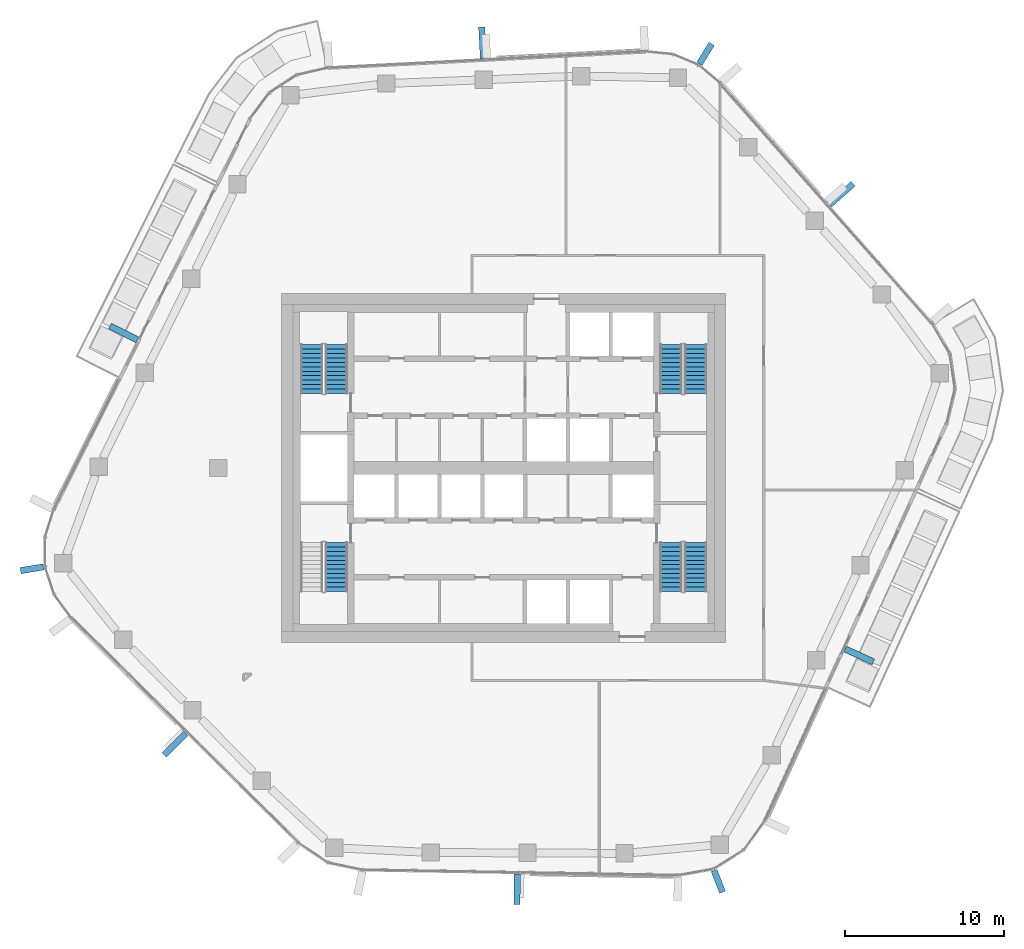
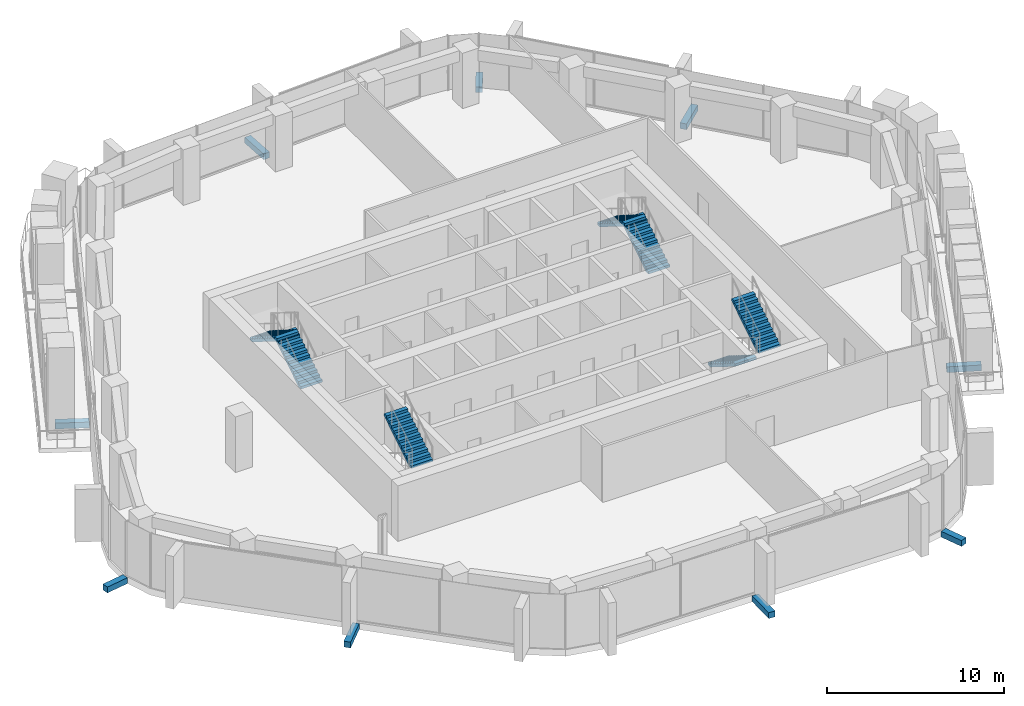
# One storey, part 15 of 22: 9 discrete accessories, 7 stair flights, 4 elements without a shape of their own.
"""IFC4 building model written with IfcOpenShell, lengths in metres."""

from ifc_helpers import new_model, si_unit, direction, frame, origin, origin_2d, place, context, subcontext, project, spatial, polyline, rectangle, outline, extrude, material, layer, layer_set, type_object, element, aggregate, save


model = new_model("IFC4")

# Units and contexts
model_context = context("Model", 3, precision=1e-05, world=origin(), true_north=direction((0.0, 1.0)))
body_context = subcontext(model_context, "Body", "Model", "MODEL_VIEW")
ifc_project = project(units=[si_unit("LENGTHUNIT", "METRE"), si_unit("AREAUNIT", "SQUARE_METRE"), si_unit("VOLUMEUNIT", "CUBIC_METRE"), si_unit("PLANEANGLEUNIT", "RADIAN"), si_unit("MASSUNIT", "GRAM", prefix="KILO")], contexts=[model_context])

# Site, building, storey
site_placement = place(None, origin())
site = spatial("IfcSite", under=ifc_project, at=site_placement, CompositionType="ELEMENT")
building_placement = place(site_placement, origin())
building = spatial("IfcBuilding", under=site, at=building_placement, Name="Dongbaek Canopy Tower", CompositionType="ELEMENT")
storey_placement = place(building_placement, frame((0.0, 0.0, 237.0)))
storey = spatial("IfcBuildingStorey", under=building, at=storey_placement, Name="L49", CompositionType="ELEMENT", Elevation=237.0)

# Stair, stair flights
ifc_material_1 = material(Name="Concrete C40/50", Category="concrete")
stair_type = type_object("IfcStairType", Name="Core exit stair", PredefinedType="HALF_TURN_STAIR", material=ifc_material_1)
stair_1_placement = place(storey_placement, origin())
stair_1 = element("IfcStair", 1, at=stair_1_placement, inside=storey, type_object=stair_type, Name="L49 exit stair A", PredefinedType="HALF_TURN_STAIR")
ifc_material_2 = material(Name="Concrete C40/50", Category="concrete")
ifc_layer = layer(ifc_material_2, 0.14990234375)
ifc_layer_set = layer_set([ifc_layer], Name="Core stair flight 150 waist")
stair_flight_type = type_object("IfcStairFlightType", Name="Core stair flight 150 waist", PredefinedType="STRAIGHT", material=ifc_layer_set)
stair_flight_1_placement = place(storey_placement, frame((12.10009765625, 4.699951171875, 0.0), z_axis=(0.0, 0.0, 1.0), x_axis=(0.0, 1.0, 0.0)))
stair_flight_1 = element("IfcStairFlight", 2, at=stair_flight_1_placement, type_object=stair_flight_type, Name="ST-A flight 1", NumberOfRisers=12, NumberOfTreads=11, PredefinedType="STRAIGHT", RiserHeight=0.175, TreadLength=0.28, context=body_context, shape_type="SweptSolid", body=[
    extrude(outline(polyline([(0.0, 0.0), (0.0, 0.175048828125), (0.280029296875, 0.175048828125), (0.280029296875, 0.35009765625), (0.56005859375, 0.35009765625), (0.56005859375, 0.52490234375), (0.840087890625, 0.52490234375), (0.840087890625, 0.699951171875), (1.1201171875, 0.699951171875), (1.1201171875, 0.875), (1.39990234375, 0.875), (1.39990234375, 1.050048828125), (1.679931640625, 1.050048828125), (1.679931640625, 1.22509765625), (1.9599609375, 1.22509765625), (1.9599609375, 1.39990234375), (2.239990234375, 1.39990234375), (2.239990234375, 1.574951171875), (2.52001953125, 1.574951171875), (2.52001953125, 1.75), (2.800048828125, 1.75), (2.800048828125, 1.925048828125), (3.080078125, 1.925048828125), (3.080078125, 2.10009765625), (3.080078125, 1.748291015625), (0.28271484375, 0.0), (0.0, 0.0)])), frame((0.0, 0.699951171875, 0.0), z_axis=(0.0, -1.0, 0.0), x_axis=(1.0, 0.0, 0.0)), (0.0, 0.0, 1.0), 1.39990234375),
])
stair_flight_2_placement = place(storey_placement, frame((10.550048828125, 7.780029296875, 2.10009765625), z_axis=(0.0, 0.0, 1.0), x_axis=(0.0, -1.0, 0.0)))
stair_flight_2 = element("IfcStairFlight", 3, at=stair_flight_2_placement, type_object=stair_flight_type, Name="ST-A flight 2", NumberOfRisers=12, NumberOfTreads=11, PredefinedType="STRAIGHT", RiserHeight=0.175, TreadLength=0.28, context=body_context, shape_type="SweptSolid", body=[
    extrude(outline(polyline([(0.0, 0.0), (0.0, 0.175048828125), (0.280029296875, 0.175048828125), (0.280029296875, 0.35009765625), (0.56005859375, 0.35009765625), (0.56005859375, 0.52490234375), (0.840087890625, 0.52490234375), (0.840087890625, 0.699951171875), (1.1201171875, 0.699951171875), (1.1201171875, 0.875), (1.39990234375, 0.875), (1.39990234375, 1.050048828125), (1.679931640625, 1.050048828125), (1.679931640625, 1.22509765625), (1.9599609375, 1.22509765625), (1.9599609375, 1.39990234375), (2.239990234375, 1.39990234375), (2.239990234375, 1.574951171875), (2.52001953125, 1.574951171875), (2.52001953125, 1.75), (2.800048828125, 1.75), (2.800048828125, 1.925048828125), (3.080078125, 1.925048828125), (3.080078125, 2.10009765625), (3.080078125, 1.748291015625), (0.28271484375, 0.0), (0.0, 0.0)])), frame((0.0, 0.699951171875, 0.0), z_axis=(0.0, -1.0, 0.0), x_axis=(1.0, 0.0, 0.0)), (0.0, 0.0, 1.0), 1.39990234375),
])
aggregate(stair_1, [stair_flight_1, stair_flight_2])

stair_2_placement = place(storey_placement, origin())
stair_2 = element("IfcStair", 4, at=stair_2_placement, inside=storey, type_object=stair_type, Name="L49 exit stair C", PredefinedType="HALF_TURN_STAIR")
stair_flight_3_placement = place(storey_placement, frame((-10.550048828125, 4.699951171875, 0.0), z_axis=(0.0, 0.0, 1.0), x_axis=(0.0, 1.0, 0.0)))
stair_flight_3 = element("IfcStairFlight", 5, at=stair_flight_3_placement, type_object=stair_flight_type, Name="ST-C flight 1", NumberOfRisers=12, NumberOfTreads=11, PredefinedType="STRAIGHT", RiserHeight=0.175, TreadLength=0.28, context=body_context, shape_type="SweptSolid", body=[
    extrude(outline(polyline([(0.0, 0.0), (0.0, 0.175048828125), (0.280029296875, 0.175048828125), (0.280029296875, 0.35009765625), (0.56005859375, 0.35009765625), (0.56005859375, 0.52490234375), (0.840087890625, 0.52490234375), (0.840087890625, 0.699951171875), (1.1201171875, 0.699951171875), (1.1201171875, 0.875), (1.39990234375, 0.875), (1.39990234375, 1.050048828125), (1.679931640625, 1.050048828125), (1.679931640625, 1.22509765625), (1.9599609375, 1.22509765625), (1.9599609375, 1.39990234375), (2.239990234375, 1.39990234375), (2.239990234375, 1.574951171875), (2.52001953125, 1.574951171875), (2.52001953125, 1.75), (2.800048828125, 1.75), (2.800048828125, 1.925048828125), (3.080078125, 1.925048828125), (3.080078125, 2.10009765625), (3.080078125, 1.748291015625), (0.28271484375, 0.0), (0.0, 0.0)])), frame((0.0, 0.699951171875, 0.0), z_axis=(0.0, -1.0, 0.0), x_axis=(1.0, 0.0, 0.0)), (0.0, 0.0, 1.0), 1.39990234375),
])
stair_flight_4_placement = place(storey_placement, frame((-12.10009765625, 7.780029296875, 2.10009765625), z_axis=(0.0, 0.0, 1.0), x_axis=(0.0, -1.0, 0.0)))
stair_flight_4 = element("IfcStairFlight", 6, at=stair_flight_4_placement, type_object=stair_flight_type, Name="ST-C flight 2", NumberOfRisers=12, NumberOfTreads=11, PredefinedType="STRAIGHT", RiserHeight=0.175, TreadLength=0.28, context=body_context, shape_type="SweptSolid", body=[
    extrude(outline(polyline([(0.0, 0.0), (0.0, 0.175048828125), (0.280029296875, 0.175048828125), (0.280029296875, 0.35009765625), (0.56005859375, 0.35009765625), (0.56005859375, 0.52490234375), (0.840087890625, 0.52490234375), (0.840087890625, 0.699951171875), (1.1201171875, 0.699951171875), (1.1201171875, 0.875), (1.39990234375, 0.875), (1.39990234375, 1.050048828125), (1.679931640625, 1.050048828125), (1.679931640625, 1.22509765625), (1.9599609375, 1.22509765625), (1.9599609375, 1.39990234375), (2.239990234375, 1.39990234375), (2.239990234375, 1.574951171875), (2.52001953125, 1.574951171875), (2.52001953125, 1.75), (2.800048828125, 1.75), (2.800048828125, 1.925048828125), (3.080078125, 1.925048828125), (3.080078125, 2.10009765625), (3.080078125, 1.748291015625), (0.28271484375, 0.0), (0.0, 0.0)])), frame((0.0, 0.699951171875, 0.0), z_axis=(0.0, -1.0, 0.0), x_axis=(1.0, 0.0, 0.0)), (0.0, 0.0, 1.0), 1.39990234375),
])
aggregate(stair_2, [stair_flight_3, stair_flight_4])

stair_3_placement = place(storey_placement, origin())
stair_3 = element("IfcStair", 7, at=stair_3_placement, inside=storey, type_object=stair_type, Name="L49 exit stair B", PredefinedType="HALF_TURN_STAIR")
stair_flight_5_placement = place(storey_placement, frame((10.550048828125, -4.699951171875, 0.0), z_axis=(0.0, 0.0, 1.0), x_axis=(0.0, -1.0, 0.0)))
stair_flight_5 = element("IfcStairFlight", 8, at=stair_flight_5_placement, type_object=stair_flight_type, Name="ST-B flight 1", NumberOfRisers=12, NumberOfTreads=11, PredefinedType="STRAIGHT", RiserHeight=0.175, TreadLength=0.28, context=body_context, shape_type="SweptSolid", body=[
    extrude(outline(polyline([(0.0, 0.0), (0.0, 0.175048828125), (0.280029296875, 0.175048828125), (0.280029296875, 0.35009765625), (0.56005859375, 0.35009765625), (0.56005859375, 0.52490234375), (0.840087890625, 0.52490234375), (0.840087890625, 0.699951171875), (1.1201171875, 0.699951171875), (1.1201171875, 0.875), (1.39990234375, 0.875), (1.39990234375, 1.050048828125), (1.679931640625, 1.050048828125), (1.679931640625, 1.22509765625), (1.9599609375, 1.22509765625), (1.9599609375, 1.39990234375), (2.239990234375, 1.39990234375), (2.239990234375, 1.574951171875), (2.52001953125, 1.574951171875), (2.52001953125, 1.75), (2.800048828125, 1.75), (2.800048828125, 1.925048828125), (3.080078125, 1.925048828125), (3.080078125, 2.10009765625), (3.080078125, 1.748291015625), (0.28271484375, 0.0), (0.0, 0.0)])), frame((0.0, 0.699951171875, 0.0), z_axis=(0.0, -1.0, 0.0), x_axis=(1.0, 0.0, 0.0)), (0.0, 0.0, 1.0), 1.39990234375),
])
stair_flight_6_placement = place(storey_placement, frame((12.10009765625, -7.780029296875, 2.10009765625), z_axis=(0.0, 0.0, 1.0), x_axis=(0.0, 1.0, 0.0)))
stair_flight_6 = element("IfcStairFlight", 9, at=stair_flight_6_placement, type_object=stair_flight_type, Name="ST-B flight 2", NumberOfRisers=12, NumberOfTreads=11, PredefinedType="STRAIGHT", RiserHeight=0.175, TreadLength=0.28, context=body_context, shape_type="SweptSolid", body=[
    extrude(outline(polyline([(0.0, 0.0), (0.0, 0.175048828125), (0.280029296875, 0.175048828125), (0.280029296875, 0.35009765625), (0.56005859375, 0.35009765625), (0.56005859375, 0.52490234375), (0.840087890625, 0.52490234375), (0.840087890625, 0.699951171875), (1.1201171875, 0.699951171875), (1.1201171875, 0.875), (1.39990234375, 0.875), (1.39990234375, 1.050048828125), (1.679931640625, 1.050048828125), (1.679931640625, 1.22509765625), (1.9599609375, 1.22509765625), (1.9599609375, 1.39990234375), (2.239990234375, 1.39990234375), (2.239990234375, 1.574951171875), (2.52001953125, 1.574951171875), (2.52001953125, 1.75), (2.800048828125, 1.75), (2.800048828125, 1.925048828125), (3.080078125, 1.925048828125), (3.080078125, 2.10009765625), (3.080078125, 1.748291015625), (0.28271484375, 0.0), (0.0, 0.0)])), frame((0.0, 0.699951171875, 0.0), z_axis=(0.0, -1.0, 0.0), x_axis=(1.0, 0.0, 0.0)), (0.0, 0.0, 1.0), 1.39990234375),
])
aggregate(stair_3, [stair_flight_5, stair_flight_6])

# Stair, stair flight
stair_4_placement = place(storey_placement, origin())
stair_4 = element("IfcStair", 10, at=stair_4_placement, inside=storey, type_object=stair_type, Name="L49 exit stair D", PredefinedType="HALF_TURN_STAIR")
stair_flight_7_placement = place(storey_placement, frame((-10.550048828125, -7.780029296875, 2.10009765625), z_axis=(0.0, 0.0, 1.0), x_axis=(0.0, 1.0, 0.0)))
stair_flight_7 = element("IfcStairFlight", 11, at=stair_flight_7_placement, type_object=stair_flight_type, Name="ST-D flight 2", NumberOfRisers=12, NumberOfTreads=11, PredefinedType="STRAIGHT", RiserHeight=0.175, TreadLength=0.28, context=body_context, shape_type="SweptSolid", body=[
    extrude(outline(polyline([(0.0, 0.0), (0.0, 0.175048828125), (0.280029296875, 0.175048828125), (0.280029296875, 0.35009765625), (0.56005859375, 0.35009765625), (0.56005859375, 0.52490234375), (0.840087890625, 0.52490234375), (0.840087890625, 0.699951171875), (1.1201171875, 0.699951171875), (1.1201171875, 0.875), (1.39990234375, 0.875), (1.39990234375, 1.050048828125), (1.679931640625, 1.050048828125), (1.679931640625, 1.22509765625), (1.9599609375, 1.22509765625), (1.9599609375, 1.39990234375), (2.239990234375, 1.39990234375), (2.239990234375, 1.574951171875), (2.52001953125, 1.574951171875), (2.52001953125, 1.75), (2.800048828125, 1.75), (2.800048828125, 1.925048828125), (3.080078125, 1.925048828125), (3.080078125, 2.10009765625), (3.080078125, 1.748291015625), (0.28271484375, 0.0), (0.0, 0.0)])), frame((0.0, 0.699951171875, 0.0), z_axis=(0.0, -1.0, 0.0), x_axis=(1.0, 0.0, 0.0)), (0.0, 0.0, 1.0), 1.39990234375),
])
aggregate(stair_4, [stair_flight_7])

# Discrete accessories
ifc_material_3 = material(Name="Galvanised steel S355 bracket", Category="steel")
discrete_accessory_type = type_object("IfcDiscreteAccessoryType", Name="Crease fin bracket BR3 400", PredefinedType="BRACKET", material=ifc_material_3)
discrete_accessory_1_placement = place(storey_placement, frame((21.287841796875, 17.25927734375, -0.425048828125), z_axis=(0.0, 0.0, 1.0), x_axis=(0.749829375126, 0.6616312479, 0.0)))
element("IfcDiscreteAccessory", 12, at=discrete_accessory_1_placement, inside=storey, type_object=discrete_accessory_type, Name="Crease fin bracket L49 F0", PredefinedType="BRACKET", context=body_context, shape_type="SweptSolid", body=[
    extrude(rectangle(XDim=1.989013671875, YDim=0.39990234375, at=origin_2d()), origin(), (0.0, 0.0, 1.0), 0.39990234375),
])
discrete_accessory_2_placement = place(storey_placement, frame((-1.333740234375, 26.822509765625, -0.425048828125), z_axis=(0.0, 0.0, 1.0), x_axis=(-0.051171638795, 0.998689873476, 0.0)))
element("IfcDiscreteAccessory", 13, at=discrete_accessory_2_placement, inside=storey, type_object=discrete_accessory_type, Name="Crease fin bracket L49 F1", PredefinedType="BRACKET", context=body_context, shape_type="SweptSolid", body=[
    extrude(rectangle(XDim=1.974365234375, YDim=0.39990234375, at=origin_2d()), origin(), (0.0, 0.0, 1.0), 0.39990234375),
])
discrete_accessory_3_placement = place(storey_placement, frame((-23.964111328125, 8.51806640625, -0.425048828125), z_axis=(0.0, 0.0, 1.0), x_axis=(-0.893577541326, 0.448908874536, 0.0)))
element("IfcDiscreteAccessory", 14, at=discrete_accessory_3_placement, inside=storey, type_object=discrete_accessory_type, Name="Crease fin bracket L49 F2", PredefinedType="BRACKET", context=body_context, shape_type="SweptSolid", body=[
    extrude(rectangle(XDim=1.9296875, YDim=0.39990234375, at=origin_2d()), origin(), (0.0, 0.0, 1.0), 0.39990234375),
])
discrete_accessory_4_placement = place(storey_placement, frame((-20.72216796875, -17.4140625, -0.425048828125), z_axis=(0.0, 0.0, 1.0), x_axis=(-0.704038274708, -0.71016202922, 0.0)))
element("IfcDiscreteAccessory", 15, at=discrete_accessory_4_placement, inside=storey, type_object=discrete_accessory_type, Name="Crease fin bracket L49 F3", PredefinedType="BRACKET", context=body_context, shape_type="SweptSolid", body=[
    extrude(rectangle(XDim=1.909423828125, YDim=0.39990234375, at=origin_2d()), origin(), (0.0, 0.0, 1.0), 0.39990234375),
])
discrete_accessory_5_placement = place(storey_placement, frame((0.848388671875, -26.571044921875, -0.425048828125), z_axis=(0.0, 0.0, 1.0), x_axis=(-0.016993452933, -0.999855600853, 0.0)))
element("IfcDiscreteAccessory", 16, at=discrete_accessory_5_placement, inside=storey, type_object=discrete_accessory_type, Name="Crease fin bracket L49 F4", PredefinedType="BRACKET", context=body_context, shape_type="SweptSolid", body=[
    extrude(rectangle(XDim=1.92626953125, YDim=0.39990234375, at=origin_2d()), origin(), (0.0, 0.0, 1.0), 0.39990234375),
])
discrete_accessory_6_placement = place(storey_placement, frame((22.41796875, -11.820068359375, -0.425048828125), z_axis=(0.0, 0.0, 1.0), x_axis=(0.909313107473, -0.416112572001, 0.0)))
element("IfcDiscreteAccessory", 17, at=discrete_accessory_6_placement, inside=storey, type_object=discrete_accessory_type, Name="Crease fin bracket L49 F5", PredefinedType="BRACKET", context=body_context, shape_type="SweptSolid", body=[
    extrude(rectangle(XDim=1.95751953125, YDim=0.39990234375, at=origin_2d()), origin(), (0.0, 0.0, 1.0), 0.39990234375),
])
for number, where, z_axis, x_axis, name in (
    (18, (12.7275390625, 26.114990234375, -0.425048828125), (0.0, 0.0, 1.0), (0.521099012614, 0.853496232594, 0.0), "Corner fin bracket L49 K1"),
    (19, (-29.7421875, -6.354736328125, -0.425048828125), (0.0, 0.0, 1.0), (-0.98689179442, -0.161383351389, 0.0), "Corner fin bracket L49 K3"),
    (20, (13.53076171875, -26.062255859375, -0.425048828125), (0.0, 0.0, 1.0), (0.360882446959, -0.932611312111, 0.0), "Corner fin bracket L49 K5"),
):
    element("IfcDiscreteAccessory", number, at=place(storey_placement, frame(where, z_axis=z_axis, x_axis=x_axis)), inside=storey, type_object=discrete_accessory_type, Name=name, PredefinedType="BRACKET", context=body_context, shape_type="SweptSolid", body=[
        extrude(rectangle(XDim=1.469970703125, YDim=0.39990234375, at=origin_2d()), origin(), (0.0, 0.0, 1.0), 0.39990234375),
    ])

save(model, "model.ifc")
